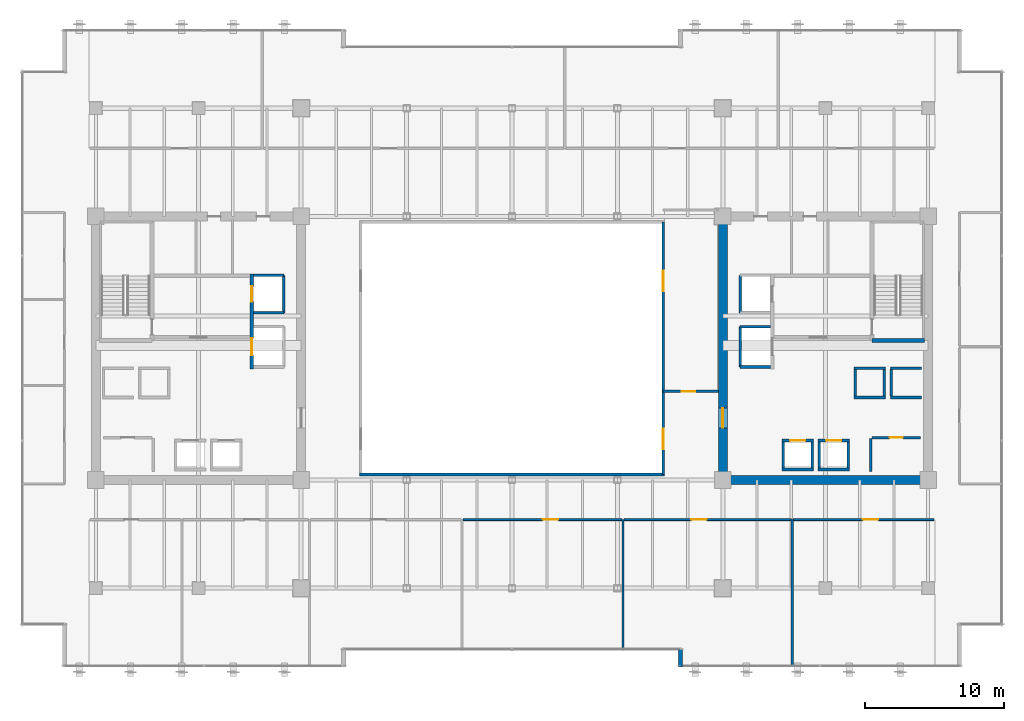
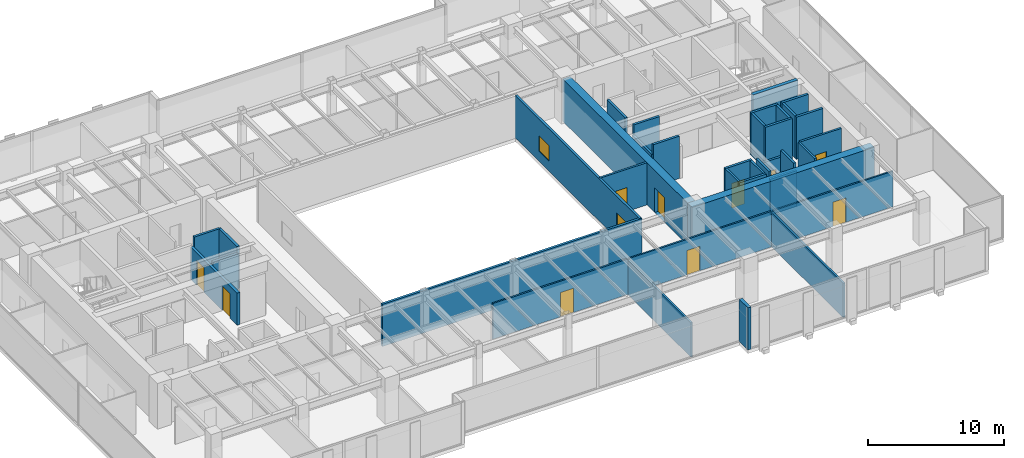
# One storey, part 26 of 34: 37 walls, 10 doors, 2 windows, 12 openings.
"""IFC4 building model written with IfcOpenShell, lengths in metres."""

from ifc_helpers import new_model, si_unit, direction, frame, frame_2d, origin, place, context, subcontext, project, spatial, rectangle, extrude, source, transform, mapped, material, layer, layer_set, type_object, type_shapes, element, fill, save


model = new_model("IFC4")

# Units and contexts
model_context = context("Model", 3, precision=1e-05, world=origin(), true_north=direction((0.0, 1.0)))
body_context = subcontext(model_context, "Body", "Model", "MODEL_VIEW")
ifc_project = project(units=[si_unit("LENGTHUNIT", "METRE"), si_unit("AREAUNIT", "SQUARE_METRE"), si_unit("VOLUMEUNIT", "CUBIC_METRE"), si_unit("PLANEANGLEUNIT", "RADIAN"), si_unit("MASSUNIT", "GRAM", prefix="KILO")], contexts=[model_context])

# Site, building, storey
site_placement = place(None, origin())
site = spatial("IfcSite", under=ifc_project, at=site_placement, CompositionType="ELEMENT")
building_placement = place(site_placement, origin())
building = spatial("IfcBuilding", under=site, at=building_placement, Name="Haelvirn Gate Laboratories", CompositionType="ELEMENT")
storey_placement = place(building_placement, frame((0.0, 0.0, 158.39990234375)))
storey = spatial("IfcBuildingStorey", under=building, at=storey_placement, Name="L38", CompositionType="ELEMENT", Elevation=158.39990234375)

# Walls
ifc_material_1 = material(Name="Thermally-broken bronze aluminium rainscreen & mineral wool", Category="aluminium")
ifc_layer_1 = layer(ifc_material_1, 0.280029296875, Name="EW-TERR-280")
ifc_layer_set_1 = layer_set([ifc_layer_1], Name="Thermally-broken bronze aluminium rainscreen & mineral wool")
wall_type_1 = type_object("IfcWallType", Name="EW-TERR-280", PredefinedType="STANDARD", material=ifc_layer_set_1)
wall_1_placement = place(storey_placement, frame((49.5400390625, 2.587890625, 0.0), z_axis=(0.0, 0.0, 1.0), x_axis=(0.0, -1.0, 0.0)))
element("IfcWall", 1, at=wall_1_placement, inside=storey, type_object=wall_type_1, Name="L38 Atrium Recess Bronze Return Wall 03", PredefinedType="STANDARD", context=body_context, shape_type="SweptSolid", body=[
    extrude(rectangle(XDim=1.287841796875, YDim=0.280029296875, at=frame_2d((0.64404296875, 0.0))), origin(), (0.0, 0.0, 1.0), 3.7900390625),
])
ifc_material_2 = material(Name="Double-layer acoustic gypsum laboratory partition", Category="gypsum")
ifc_layer_2 = layer(ifc_material_2, 0.159912109375, Name="IW-ACOUST-160")
ifc_layer_set_2 = layer_set([ifc_layer_2], Name="Double-layer acoustic gypsum laboratory partition")
wall_type_2 = type_object("IfcWallType", Name="IW-ACOUST-160", PredefinedType="PARTITIONING", material=ifc_layer_set_2)
wall_2_placement = place(storey_placement, frame((45.39990234375, 2.610107421875, 0.0), z_axis=(0.0, 0.0, 1.0), x_axis=(0.0, 1.0, 0.0)))
element("IfcWall", 2, at=wall_2_placement, inside=storey, type_object=wall_type_2, Name="L38 Interior Wall IW-L38-SDIV-04", PredefinedType="PARTITIONING", context=body_context, shape_type="SweptSolid", body=[
    extrude(rectangle(XDim=9.329833984375, YDim=0.159912109375, at=frame_2d((4.6650390625, 0.0))), origin(), (0.0, 0.0, 1.0), 3.0751953125),
])
wall_3_placement = place(storey_placement, frame((57.60009765625, 1.409912109375, 0.0), z_axis=(0.0, 0.0, 1.0), x_axis=(0.0, 1.0, 0.0)))
element("IfcWall", 3, at=wall_3_placement, inside=storey, type_object=wall_type_2, Name="L38 Interior Wall IW-L38-SDIV-05", PredefinedType="PARTITIONING", context=body_context, shape_type="SweptSolid", body=[
    extrude(rectangle(XDim=10.530029296875, YDim=0.159912109375, at=frame_2d((5.26513671875, 0.0))), origin(), (0.0, 0.0, 1.0), 3.0751953125),
])

# Wall, opening, door
ifc_material_3 = material(Name="Fire-rated acoustic gypsum board partition", Category="gypsum")
ifc_layer_3 = layer(ifc_material_3, 0.175048828125, Name="IW-ACOUST-180")
ifc_layer_set_3 = layer_set([ifc_layer_3], Name="Fire-rated acoustic gypsum board partition")
wall_type_3 = type_object("IfcWallType", Name="IW-ACOUST-180", PredefinedType="PARTITIONING", material=ifc_layer_set_3)
wall_4_placement = place(storey_placement, frame((48.300048828125, 21.179931640625, 0.0), z_axis=(0.0, 0.0, 1.0), x_axis=(1.0, 0.0, 0.0)))
wall_4 = element("IfcWall", 4, at=wall_4_placement, inside=storey, type_object=wall_type_3, Name="L38 Interior Wall IW-L38-ASEM-S", PredefinedType="PARTITIONING", context=body_context, shape_type="SweptSolid", body=[
    extrude(rectangle(XDim=3.974853515625, YDim=0.175048828125, at=frame_2d((1.9873046875, 0.0))), origin(), (0.0, 0.0, 1.0), 3.7900390625),
])
opening_1_placement = place(wall_4_placement, frame((1.35009765625, 0.0, 0.0)))
opening_1 = element("IfcOpeningElement", 5, at=opening_1_placement, cuts=wall_4, Name="Opening FD4", PredefinedType="OPENING", context=body_context, shape_type="SweptSolid", body=[
    extrude(rectangle(XDim=0.949951171875, YDim=2.14990234375, at=frame_2d((0.47509765625, 1.074951171875))), frame((0.0, 0.09765625, 0.0), z_axis=(0.0, -1.0, 0.0), x_axis=(1.0, 0.0, 0.0)), (0.0, 0.0, 1.0), 0.195068359375),
])
ifc_material_4 = material(Name="Fire-rated steel SM355 core service door", Category="steel")
door_type_1 = type_object("IfcDoorType", Name="DR-FD-950", OperationType="NOTDEFINED", PredefinedType="DOOR", material=ifc_material_4)
shared_shape_1 = source(origin(), body_context, "Body", "SweptSolid", [
    extrude(rectangle(XDim=0.949951171875, YDim=2.14990234375, at=frame_2d((0.47509765625, 1.074951171875))), frame((0.0, 0.02490234375, 0.0), z_axis=(0.0, -1.0, 0.0), x_axis=(1.0, 0.0, 0.0)), (0.0, 0.0, 1.0), 0.050048828125),
])
type_shapes(door_type_1, [shared_shape_1])
door_1_placement = place(opening_1_placement, origin())
door_1 = element("IfcDoor", 6, at=door_1_placement, inside=storey, type_object=door_type_1, Name="L38 Atrium Bioinformatics Suite Door", OperationType="SINGLE_SWING_LEFT", OverallHeight=2.14990234375, OverallWidth=0.949951171875, PredefinedType="DOOR", context=body_context, shape_type="MappedRepresentation", body=[
    mapped(shared_shape_1, transform((0.0, 0.0, 0.0), scale=1.0)),
])
fill(opening_1, door_1)

# Wall, openings, windows
ifc_material_5 = material(Name="Tempered fire-rated borosilicate glass & anodised aluminium", Category="aluminium")
ifc_layer_4 = layer(ifc_material_5, 0.195068359375, Name="IW-GLAZ-200")
ifc_layer_set_4 = layer_set([ifc_layer_4], Name="Tempered fire-rated borosilicate glass & anodised aluminium")
wall_type_4 = type_object("IfcWallType", Name="IW-GLAZ-200", PredefinedType="SOLIDWALL", material=ifc_layer_set_4)
wall_5_placement = place(storey_placement, frame((48.300048828125, 15.199951171875, 0.0), z_axis=(0.0, 0.0, 1.0), x_axis=(0.0, 1.0, 0.0)))
wall_5 = element("IfcWall", 7, at=wall_5_placement, inside=storey, type_object=wall_type_4, Name="L38 Interior Wall IW-L38-ATRIUM-E", PredefinedType="SOLIDWALL", context=body_context, shape_type="SweptSolid", body=[
    extrude(rectangle(XDim=18.199951171875, YDim=0.195068359375, at=frame_2d((9.10009765625, 0.0))), origin(), (0.0, 0.0, 1.0), 3.7900390625),
])
opening_2_placement = place(wall_5_placement, frame((1.800048828125, 0.0, 0.89990234375)))
opening_2 = element("IfcOpeningElement", 8, at=opening_2_placement, cuts=wall_5, Name="Opening W5", PredefinedType="OPENING", context=body_context, shape_type="SweptSolid", body=[
    extrude(rectangle(XDim=1.5, YDim=1.39990234375, at=frame_2d((0.75, 0.699951171875))), frame((0.0, 0.107421875, 0.0), z_axis=(0.0, -1.0, 0.0), x_axis=(1.0, 0.0, 0.0)), (0.0, 0.0, 1.0), 0.215087890625),
])
opening_3_placement = place(wall_5_placement, frame((13.199951171875, 0.0, 0.89990234375)))
opening_3 = element("IfcOpeningElement", 9, at=opening_3_placement, cuts=wall_5, Name="Opening W5", PredefinedType="OPENING", context=body_context, shape_type="SweptSolid", body=[
    extrude(rectangle(XDim=1.5, YDim=1.39990234375, at=frame_2d((0.75, 0.699951171875))), frame((0.0, 0.107421875, 0.0), z_axis=(0.0, -1.0, 0.0), x_axis=(1.0, 0.0, 0.0)), (0.0, 0.0, 1.0), 0.215087890625),
])
ifc_material_6 = material(Name="Fire-rated EI 120 borosilicate atrium vision glazing", Category="glass")
window_type = type_object("IfcWindowType", Name="WN-ATR-1500", PartitioningType="SINGLE_PANEL", PredefinedType="WINDOW", material=ifc_material_6)
shared_shape_2 = source(origin(), body_context, "Body", "SweptSolid", [
    extrude(rectangle(XDim=1.5, YDim=1.39990234375, at=frame_2d((0.75, 0.699951171875))), frame((0.0, 0.030029296875, 0.0), z_axis=(0.0, -1.0, 0.0), x_axis=(1.0, 0.0, 0.0)), (0.0, 0.0, 1.0), 0.06005859375),
])
type_shapes(window_type, [shared_shape_2])
window_1_placement = place(opening_2_placement, origin())
window_1 = element("IfcWindow", 10, at=window_1_placement, inside=storey, type_object=window_type, Name="L38 Atrium Observation Window 1", OverallHeight=1.39990234375, OverallWidth=1.5, PartitioningType="SINGLE_PANEL", PredefinedType="WINDOW", context=body_context, shape_type="MappedRepresentation", body=[
    mapped(shared_shape_2, transform((0.0, 0.0, 0.0), scale=1.0)),
])
fill(opening_2, window_1)
window_2_placement = place(opening_3_placement, origin())
window_2 = element("IfcWindow", 11, at=window_2_placement, inside=storey, type_object=window_type, Name="L38 Atrium Observation Window 2", OverallHeight=1.39990234375, OverallWidth=1.5, PartitioningType="SINGLE_PANEL", PredefinedType="WINDOW", context=body_context, shape_type="MappedRepresentation", body=[
    mapped(shared_shape_2, transform((0.0, 0.0, 0.0), scale=1.0)),
])
fill(opening_3, window_2)

# Wall
wall_6_placement = place(storey_placement, frame((26.39990234375, 15.199951171875, 0.0), z_axis=(0.0, 0.0, 1.0), x_axis=(1.0, 0.0, 0.0)))
element("IfcWall", 12, at=wall_6_placement, inside=storey, type_object=wall_type_4, Name="L38 Interior Wall IW-L38-ATRIUM-S", PredefinedType="SOLIDWALL", context=body_context, shape_type="SweptSolid", body=[
    extrude(rectangle(XDim=22.0, YDim=0.195068359375, at=frame_2d((11.0, 0.0))), origin(), (0.0, 0.0, 1.0), 3.7900390625),
])

# Wall, opening, door
ifc_material_7 = material(Name="Acoustic mineral-wool gypsum board partition", Category="gypsum")
ifc_layer_5 = layer(ifc_material_7, 0.139892578125, Name="IW-PART-140")
ifc_layer_set_5 = layer_set([ifc_layer_5], Name="Acoustic mineral-wool gypsum board partition")
wall_type_5 = type_object("IfcWallType", Name="IW-PART-140", PredefinedType="PARTITIONING", material=ifc_layer_set_5)
wall_7_placement = place(storey_placement, frame((33.8798828125, 11.93994140625, 0.0), z_axis=(0.0, 0.0, 1.0), x_axis=(1.0, 0.0, 0.0)))
wall_7 = element("IfcWall", 13, at=wall_7_placement, inside=storey, type_object=wall_type_5, Name="L38 Interior Wall IW-L38-SCORR-04", PredefinedType="PARTITIONING", context=body_context, shape_type="SweptSolid", body=[
    extrude(rectangle(XDim=11.440185546875, YDim=0.139892578125, at=frame_2d((5.72021484375, 0.0))), origin(), (0.0, 0.0, 1.0), 3.18701171875),
])
opening_4_placement = place(wall_7_placement, frame((5.748291015625, 0.0, 0.0)))
opening_4 = element("IfcOpeningElement", 14, at=opening_4_placement, cuts=wall_7, Name="Opening D1", PredefinedType="OPENING", context=body_context, shape_type="SweptSolid", body=[
    extrude(rectangle(XDim=1.10009765625, YDim=2.179931640625, at=frame_2d((0.550048828125, 1.08984375))), frame((0.0, 0.080078125, 0.0), z_axis=(0.0, -1.0, 0.0), x_axis=(1.0, 0.0, 0.0)), (0.0, 0.0, 1.0), 0.159912109375),
])
ifc_material_8 = material(Name="Vision-panel acoustic solid-core timber lab door", Category="wood")
door_type_2 = type_object("IfcDoorType", Name="DR-LAB-1100", OperationType="NOTDEFINED", PredefinedType="DOOR", material=ifc_material_8)
shared_shape_3 = source(origin(), body_context, "Body", "SweptSolid", [
    extrude(rectangle(XDim=1.10009765625, YDim=2.179931640625, at=frame_2d((0.550048828125, 1.08984375))), frame((0.0, 0.02490234375, 0.0), z_axis=(0.0, -1.0, 0.0), x_axis=(1.0, 0.0, 0.0)), (0.0, 0.0, 1.0), 0.050048828125),
])
type_shapes(door_type_2, [shared_shape_3])
door_2_placement = place(opening_4_placement, origin())
door_2 = element("IfcDoor", 15, at=door_2_placement, inside=storey, type_object=door_type_2, Name="L38 Colloquium Conference Room Door S4", OperationType="SINGLE_SWING_RIGHT", OverallHeight=2.179931640625, OverallWidth=1.10009765625, PredefinedType="DOOR", context=body_context, shape_type="MappedRepresentation", body=[
    mapped(shared_shape_3, transform((0.0, 0.0, 0.0), scale=1.0)),
])
fill(opening_4, door_2)

wall_8_placement = place(storey_placement, frame((45.47998046875, 11.93994140625, 0.0), z_axis=(0.0, 0.0, 1.0), x_axis=(1.0, 0.0, 0.0)))
wall_8 = element("IfcWall", 16, at=wall_8_placement, inside=storey, type_object=wall_type_5, Name="L38 Interior Wall IW-L38-SCORR-05", PredefinedType="PARTITIONING", context=body_context, shape_type="SweptSolid", body=[
    extrude(rectangle(XDim=12.0400390625, YDim=0.139892578125, at=frame_2d((6.02001953125, 0.0))), origin(), (0.0, 0.0, 1.0), 3.18701171875),
])
opening_5_placement = place(wall_8_placement, frame((4.855712890625, 0.0, 0.0)))
opening_5 = element("IfcOpeningElement", 17, at=opening_5_placement, cuts=wall_8, Name="Opening D1", PredefinedType="OPENING", context=body_context, shape_type="SweptSolid", body=[
    extrude(rectangle(XDim=1.10009765625, YDim=2.179931640625, at=frame_2d((0.550048828125, 1.08984375))), frame((0.0, 0.080078125, 0.0), z_axis=(0.0, -1.0, 0.0), x_axis=(1.0, 0.0, 0.0)), (0.0, 0.0, 1.0), 0.159912109375),
])
door_3_placement = place(opening_5_placement, origin())
door_3 = element("IfcDoor", 18, at=door_3_placement, inside=storey, type_object=door_type_2, Name="L38 Protocol Briefing Training Room Door S5", OperationType="SINGLE_SWING_LEFT", OverallHeight=2.179931640625, OverallWidth=1.10009765625, PredefinedType="DOOR", context=body_context, shape_type="MappedRepresentation", body=[
    mapped(shared_shape_3, transform((0.0, 0.0, 0.0), scale=1.0)),
])
fill(opening_5, door_3)

wall_9_placement = place(storey_placement, frame((57.679931640625, 11.93994140625, 0.0), z_axis=(0.0, 0.0, 1.0), x_axis=(1.0, 0.0, 0.0)))
wall_9 = element("IfcWall", 19, at=wall_9_placement, inside=storey, type_object=wall_type_5, Name="L38 Interior Wall IW-L38-SCORR-06", PredefinedType="PARTITIONING", context=body_context, shape_type="SweptSolid", body=[
    extrude(rectangle(XDim=10.14013671875, YDim=0.139892578125, at=frame_2d((5.070068359375, 0.0))), origin(), (0.0, 0.0, 1.0), 3.18701171875),
])
opening_6_placement = place(wall_9_placement, frame((5.0205078125, 0.0, 0.0)))
opening_6 = element("IfcOpeningElement", 20, at=opening_6_placement, cuts=wall_9, Name="Opening D1", PredefinedType="OPENING", context=body_context, shape_type="SweptSolid", body=[
    extrude(rectangle(XDim=1.10009765625, YDim=2.179931640625, at=frame_2d((0.550048828125, 1.08984375))), frame((0.0, 0.080078125, 0.0), z_axis=(0.0, -1.0, 0.0), x_axis=(1.0, 0.0, 0.0)), (0.0, 0.0, 1.0), 0.159912109375),
])
door_4_placement = place(opening_6_placement, origin())
door_4 = element("IfcDoor", 21, at=door_4_placement, inside=storey, type_object=door_type_2, Name="L38 Peer-Review Seminar Room Door S6", OperationType="SINGLE_SWING_RIGHT", OverallHeight=2.179931640625, OverallWidth=1.10009765625, PredefinedType="DOOR", context=body_context, shape_type="MappedRepresentation", body=[
    mapped(shared_shape_3, transform((0.0, 0.0, 0.0), scale=1.0)),
])
fill(opening_6, door_4)

# Walls
ifc_material_9 = material(Name="Concrete C40/50", Category="concrete")
ifc_layer_6 = layer(ifc_material_9, 0.179931640625, Name="IW-SHAFT-180")
ifc_layer_set_6 = layer_set([ifc_layer_6], Name="Concrete C40/50")
wall_type_6 = type_object("IfcWallType", Name="IW-SHAFT-180", PredefinedType="SOLIDWALL", material=ifc_layer_set_6)
for number, where, z_axis, x_axis, name in (
    (22, (59.550048828125, 15.64990234375, 0.0), (0.0, 0.0, 1.0), (0.0, 1.0, 0.0), "L38 Interior Wall IW-L38-PL7-SD"),
    (23, (61.64990234375, 15.64990234375, 0.0), (0.0, 0.0, 1.0), (0.0, 1.0, 0.0), "L38 Interior Wall IW-L38-PL7-SDE"),
    (24, (56.949951171875, 15.64990234375, 0.0), (0.0, 0.0, 1.0), (0.0, 1.0, 0.0), "L38 Interior Wall IW-L38-PL8-SD"),
    (25, (59.050048828125, 15.64990234375, 0.0), (0.0, 0.0, 1.0), (0.0, 1.0, 0.0), "L38 Interior Wall IW-L38-PL8-SDE"),
):
    element("IfcWall", number, at=place(storey_placement, frame(where, z_axis=z_axis, x_axis=x_axis)), inside=storey, type_object=wall_type_6, Name=name, PredefinedType="SOLIDWALL", context=body_context, shape_type="SweptSolid", body=[
        extrude(rectangle(XDim=1.900146484375, YDim=0.179931640625, at=frame_2d((0.9501953125, 0.0))), origin(), (0.0, 0.0, 1.0), 3.7900390625),
    ])
for number, where, z_axis, x_axis, name in (
    (26, (64.75, 20.85009765625, 0.0), (0.0, 0.0, 1.0), (0.0, 1.0, 0.0), "L38 Interior Wall IW-L38-PL11-SD"),
    (27, (62.14990234375, 20.85009765625, 0.0), (0.0, 0.0, 1.0), (0.0, 1.0, 0.0), "L38 Interior Wall IW-L38-PL12-SD"),
    (28, (64.25, 20.85009765625, 0.0), (0.0, 0.0, 1.0), (0.0, 1.0, 0.0), "L38 Interior Wall IW-L38-PL12-SDE"),
):
    element("IfcWall", number, at=place(storey_placement, frame(where, z_axis=z_axis, x_axis=x_axis)), inside=storey, type_object=wall_type_6, Name=name, PredefinedType="SOLIDWALL", context=body_context, shape_type="SweptSolid", body=[
        extrude(rectangle(XDim=1.89990234375, YDim=0.179931640625, at=frame_2d((0.949951171875, 0.0))), origin(), (0.0, 0.0, 1.0), 3.7900390625),
    ])

# Wall, opening, door
wall_10_placement = place(storey_placement, frame((63.35009765625, 17.85009765625, 0.0), z_axis=(0.0, 0.0, 1.0), x_axis=(1.0, 0.0, 0.0)))
wall_10 = element("IfcWall", 29, at=wall_10_placement, inside=storey, type_object=wall_type_6, Name="L38 Interior Wall IW-L38-E-FREED-LN-1", PredefinedType="SOLIDWALL", context=body_context, shape_type="SweptSolid", body=[
    extrude(rectangle(XDim=3.5, YDim=0.179931640625, at=frame_2d((1.75, 0.0))), origin(), (0.0, 0.0, 1.0), 3.7900390625),
])
opening_7_placement = place(wall_10_placement, frame((1.27490234375, 0.0, 0.0)))
opening_7 = element("IfcOpeningElement", 30, at=opening_7_placement, cuts=wall_10, Name="Opening FD4", PredefinedType="OPENING", context=body_context, shape_type="SweptSolid", body=[
    extrude(rectangle(XDim=0.949951171875, YDim=2.14990234375, at=frame_2d((0.47509765625, 1.074951171875))), frame((0.0, 0.10009765625, 0.0), z_axis=(0.0, -1.0, 0.0), x_axis=(1.0, 0.0, 0.0)), (0.0, 0.0, 1.0), 0.199951171875),
])
door_5_placement = place(opening_7_placement, origin())
door_5 = element("IfcDoor", 31, at=door_5_placement, inside=storey, type_object=door_type_1, Name="L38 Core Calibration Room Door", OperationType="SINGLE_SWING_LEFT", OverallHeight=2.14990234375, OverallWidth=0.949951171875, PredefinedType="DOOR", context=body_context, shape_type="MappedRepresentation", body=[
    mapped(shared_shape_1, transform((0.0, 0.0, 0.0), scale=1.0)),
])
fill(opening_7, door_5)

# Walls
wall_11_placement = place(storey_placement, frame((63.260009765625, 15.39990234375, 0.0), z_axis=(0.0, 0.0, 1.0), x_axis=(0.0, 1.0, 0.0)))
element("IfcWall", 32, at=wall_11_placement, inside=storey, type_object=wall_type_6, Name="L38 Interior Wall IW-L38-E-FREED-LE-1", PredefinedType="SOLIDWALL", context=body_context, shape_type="SweptSolid", body=[
    extrude(rectangle(XDim=2.400146484375, YDim=0.179931640625, at=frame_2d((1.2001953125, 0.0))), origin(), (0.0, 0.0, 1.0), 3.7900390625),
])
ifc_layer_7 = layer(ifc_material_9, 0.199951171875, Name="IW-SHAFT-200")
ifc_layer_set_7 = layer_set([ifc_layer_7], Name="Concrete C40/50")
wall_type_7 = type_object("IfcWallType", Name="IW-SHAFT-200", PredefinedType="SOLIDWALL", material=ifc_layer_set_7)
wall_12_placement = place(storey_placement, frame((20.949951171875, 26.85009765625, 0.0), z_axis=(0.0, 0.0, 1.0), x_axis=(0.0, 1.0, 0.0)))
element("IfcWall", 33, at=wall_12_placement, inside=storey, type_object=wall_type_7, Name="L38 Interior Wall IW-L38-FL1-BK", PredefinedType="SOLIDWALL", context=body_context, shape_type="SweptSolid", body=[
    extrude(rectangle(XDim=2.699951171875, YDim=0.199951171875, at=frame_2d((1.35009765625, 0.0))), origin(), (0.0, 0.0, 1.0), 3.7900390625),
])
wall_13_placement = place(storey_placement, frame((18.760009765625, 29.550048828125, 0.0), z_axis=(0.0, 0.0, 1.0), x_axis=(1.0, 0.0, 0.0)))
element("IfcWall", 34, at=wall_13_placement, inside=storey, type_object=wall_type_7, Name="L38 Interior Wall IW-L38-FL1-N", PredefinedType="SOLIDWALL", context=body_context, shape_type="SweptSolid", body=[
    extrude(rectangle(XDim=2.18994140625, YDim=0.199951171875, at=frame_2d((1.094970703125, 0.0))), origin(), (0.0, 0.0, 1.0), 3.7900390625),
])
wall_14_placement = place(storey_placement, frame((18.760009765625, 26.85009765625, 0.0), z_axis=(0.0, 0.0, 1.0), x_axis=(1.0, 0.0, 0.0)))
element("IfcWall", 35, at=wall_14_placement, inside=storey, type_object=wall_type_7, Name="L38 Interior Wall IW-L38-FL1-S", PredefinedType="SOLIDWALL", context=body_context, shape_type="SweptSolid", body=[
    extrude(rectangle(XDim=2.18994140625, YDim=0.199951171875, at=frame_2d((1.094970703125, 0.0))), origin(), (0.0, 0.0, 1.0), 3.18701171875),
])

# Wall, opening, door
wall_15_placement = place(storey_placement, frame((59.469970703125, 17.64990234375, 0.0), z_axis=(0.0, 0.0, 1.0), x_axis=(1.0, 0.0, 0.0)))
wall_15 = element("IfcWall", 36, at=wall_15_placement, inside=storey, type_object=wall_type_7, Name="L38 Interior Wall IW-L38-PL7-FR", PredefinedType="SOLIDWALL", context=body_context, shape_type="SweptSolid", body=[
    extrude(rectangle(XDim=2.260009765625, YDim=0.199951171875, at=frame_2d((1.1298828125, 0.0))), origin(), (0.0, 0.0, 1.0), 3.18701171875),
])
opening_8_placement = place(wall_15_placement, frame((0.580078125, 0.0, 0.0)))
opening_8 = element("IfcOpeningElement", 37, at=opening_8_placement, cuts=wall_15, Name="Opening LD2", PredefinedType="OPENING", context=body_context, shape_type="SweptSolid", body=[
    extrude(rectangle(XDim=1.10009765625, YDim=2.219970703125, at=frame_2d((0.550048828125, 1.10986328125))), frame((0.0, 0.10986328125, 0.0), z_axis=(0.0, -1.0, 0.0), x_axis=(1.0, 0.0, 0.0)), (0.0, 0.0, 1.0), 0.219970703125),
])
ifc_material_10 = material(Name="Bronze stainless 316L sliding lift landing door")
door_type_3 = type_object("IfcDoorType", Name="DR-LD-1100", OperationType="NOTDEFINED", PredefinedType="USERDEFINED", material=ifc_material_10)
shared_shape_4 = source(origin(), body_context, "Body", "SweptSolid", [
    extrude(rectangle(XDim=1.10009765625, YDim=2.219970703125, at=frame_2d((0.550048828125, 1.10986328125))), frame((0.0, 0.02490234375, 0.0), z_axis=(0.0, -1.0, 0.0), x_axis=(1.0, 0.0, 0.0)), (0.0, 0.0, 1.0), 0.050048828125),
])
type_shapes(door_type_3, [shared_shape_4])
door_6_placement = place(opening_8_placement, origin())
door_6 = element("IfcDoor", 38, at=door_6_placement, inside=storey, type_object=door_type_3, Name="L38 Passenger Lift PL7 Landing Door", ObjectType="LANDING_DOOR", OperationType="SLIDING_TO_LEFT", OverallHeight=2.219970703125, OverallWidth=1.10009765625, PredefinedType="USERDEFINED", context=body_context, shape_type="MappedRepresentation", body=[
    mapped(shared_shape_4, transform((0.0, 0.0, 0.0), scale=1.0)),
])
fill(opening_8, door_6)

# Wall
wall_16_placement = place(storey_placement, frame((59.469970703125, 15.550048828125, 0.0), z_axis=(0.0, 0.0, 1.0), x_axis=(1.0, 0.0, 0.0)))
element("IfcWall", 39, at=wall_16_placement, inside=storey, type_object=wall_type_7, Name="L38 Interior Wall IW-L38-PL7-BK", PredefinedType="SOLIDWALL", context=body_context, shape_type="SweptSolid", body=[
    extrude(rectangle(XDim=2.260009765625, YDim=0.199951171875, at=frame_2d((1.1298828125, 0.0))), origin(), (0.0, 0.0, 1.0), 3.18701171875),
])

# Wall, opening, door
wall_17_placement = place(storey_placement, frame((56.8701171875, 17.64990234375, 0.0), z_axis=(0.0, 0.0, 1.0), x_axis=(1.0, 0.0, 0.0)))
wall_17 = element("IfcWall", 40, at=wall_17_placement, inside=storey, type_object=wall_type_7, Name="L38 Interior Wall IW-L38-PL8-FR", PredefinedType="SOLIDWALL", context=body_context, shape_type="SweptSolid", body=[
    extrude(rectangle(XDim=2.259765625, YDim=0.199951171875, at=frame_2d((1.1298828125, 0.0))), origin(), (0.0, 0.0, 1.0), 3.7900390625),
])
opening_9_placement = place(wall_17_placement, frame((0.580078125, 0.0, 0.0)))
opening_9 = element("IfcOpeningElement", 41, at=opening_9_placement, cuts=wall_17, Name="Opening LD2", PredefinedType="OPENING", context=body_context, shape_type="SweptSolid", body=[
    extrude(rectangle(XDim=1.10009765625, YDim=2.219970703125, at=frame_2d((0.550048828125, 1.10986328125))), frame((0.0, 0.10986328125, 0.0), z_axis=(0.0, -1.0, 0.0), x_axis=(1.0, 0.0, 0.0)), (0.0, 0.0, 1.0), 0.219970703125),
])
door_7_placement = place(opening_9_placement, origin())
door_7 = element("IfcDoor", 42, at=door_7_placement, inside=storey, type_object=door_type_3, Name="L38 Passenger Lift PL8 Landing Door", ObjectType="LANDING_DOOR", OperationType="SLIDING_TO_RIGHT", OverallHeight=2.219970703125, OverallWidth=1.10009765625, PredefinedType="USERDEFINED", context=body_context, shape_type="MappedRepresentation", body=[
    mapped(shared_shape_4, transform((0.0, 0.0, 0.0), scale=1.0)),
])
fill(opening_9, door_7)

# Walls
wall_18_placement = place(storey_placement, frame((56.8701171875, 15.550048828125, 0.0), z_axis=(0.0, 0.0, 1.0), x_axis=(1.0, 0.0, 0.0)))
element("IfcWall", 43, at=wall_18_placement, inside=storey, type_object=wall_type_7, Name="L38 Interior Wall IW-L38-PL8-BK", PredefinedType="SOLIDWALL", context=body_context, shape_type="SweptSolid", body=[
    extrude(rectangle(XDim=2.259765625, YDim=0.199951171875, at=frame_2d((1.1298828125, 0.0))), origin(), (0.0, 0.0, 1.0), 3.7900390625),
])
for number, where, z_axis, x_axis, name in (
    (44, (64.669921875, 20.75, 0.0), (0.0, 0.0, 1.0), (1.0, 0.0, 0.0), "L38 Interior Wall IW-L38-PL11-FR"),
    (45, (64.669921875, 22.85009765625, 0.0), (0.0, 0.0, 1.0), (1.0, 0.0, 0.0), "L38 Interior Wall IW-L38-PL11-BK"),
    (46, (62.070068359375, 20.75, 0.0), (0.0, 0.0, 1.0), (1.0, 0.0, 0.0), "L38 Interior Wall IW-L38-PL12-FR"),
    (47, (62.070068359375, 22.85009765625, 0.0), (0.0, 0.0, 1.0), (1.0, 0.0, 0.0), "L38 Interior Wall IW-L38-PL12-BK"),
):
    element("IfcWall", number, at=place(storey_placement, frame(where, z_axis=z_axis, x_axis=x_axis)), inside=storey, type_object=wall_type_7, Name=name, PredefinedType="SOLIDWALL", context=body_context, shape_type="SweptSolid", body=[
        extrude(rectangle(XDim=2.260009765625, YDim=0.199951171875, at=frame_2d((1.1298828125, 0.0))), origin(), (0.0, 0.0, 1.0), 3.7900390625),
    ])
wall_19_placement = place(storey_placement, frame((53.85009765625, 26.85009765625, 0.0), z_axis=(0.0, 0.0, 1.0), x_axis=(0.0, 1.0, 0.0)))
element("IfcWall", 48, at=wall_19_placement, inside=storey, type_object=wall_type_7, Name="L38 Interior Wall IW-L38-FL2-BK", PredefinedType="SOLIDWALL", context=body_context, shape_type="SweptSolid", body=[
    extrude(rectangle(XDim=2.699951171875, YDim=0.199951171875, at=frame_2d((1.35009765625, 0.0))), origin(), (0.0, 0.0, 1.0), 3.7900390625),
])
wall_20_placement = place(storey_placement, frame((53.85009765625, 22.949951171875, 0.0), z_axis=(0.0, 0.0, 1.0), x_axis=(0.0, 1.0, 0.0)))
element("IfcWall", 49, at=wall_20_placement, inside=storey, type_object=wall_type_7, Name="L38 Interior Wall IW-L38-SL2-BK", PredefinedType="SOLIDWALL", context=body_context, shape_type="SweptSolid", body=[
    extrude(rectangle(XDim=2.900146484375, YDim=0.199951171875, at=frame_2d((1.4501953125, 0.0))), origin(), (0.0, 0.0, 1.0), 2.875),
])
for number, where, z_axis, x_axis, name in (
    (50, (53.85009765625, 25.85009765625, 0.0), (0.0, 0.0, 1.0), (1.0, 0.0, 0.0), "L38 Interior Wall IW-L38-SL2-N"),
    (51, (53.85009765625, 22.949951171875, 0.0), (0.0, 0.0, 1.0), (1.0, 0.0, 0.0), "L38 Interior Wall IW-L38-SL2-S"),
):
    element("IfcWall", number, at=place(storey_placement, frame(where, z_axis=z_axis, x_axis=x_axis)), inside=storey, type_object=wall_type_7, Name=name, PredefinedType="SOLIDWALL", context=body_context, shape_type="SweptSolid", body=[
        extrude(rectangle(XDim=2.18994140625, YDim=0.199951171875, at=frame_2d((1.094970703125, 0.0))), origin(), (0.0, 0.0, 1.0), 3.7900390625),
    ])

# Wall, openings, doors
ifc_layer_8 = layer(ifc_material_9, 0.239990234375, Name="IW-SHAFT-240")
ifc_layer_set_8 = layer_set([ifc_layer_8], Name="Concrete C40/50")
wall_type_8 = type_object("IfcWallType", Name="IW-SHAFT-240", PredefinedType="SOLIDWALL", material=ifc_layer_set_8)
wall_21_placement = place(storey_placement, frame((18.639892578125, 22.800048828125, 0.0), z_axis=(0.0, 0.0, 1.0), x_axis=(0.0, 1.0, 0.0)))
wall_21 = element("IfcWall", 52, at=wall_21_placement, inside=storey, type_object=wall_type_8, Name="L38 Interior Wall IW-L38-W-FF-E", PredefinedType="SOLIDWALL", context=body_context, shape_type="SweptSolid", body=[
    extrude(rectangle(XDim=6.849853515625, YDim=0.239990234375, at=frame_2d((3.4248046875, 0.0))), origin(), (0.0, 0.0, 1.0), 2.875),
])
opening_10_placement = place(wall_21_placement, frame((4.85009765625, 0.0, 0.0)))
opening_10 = element("IfcOpeningElement", 53, at=opening_10_placement, cuts=wall_21, Name="Opening LD2", PredefinedType="OPENING", context=body_context, shape_type="SweptSolid", body=[
    extrude(rectangle(XDim=1.10009765625, YDim=2.219970703125, at=frame_2d((0.550048828125, 1.10986328125))), frame((0.0, 0.1298828125, 0.0), z_axis=(0.0, -1.0, 0.0), x_axis=(1.0, 0.0, 0.0)), (0.0, 0.0, 1.0), 0.260009765625),
])
opening_11_placement = place(wall_21_placement, frame((1.0, 0.0, 0.0)))
opening_11 = element("IfcOpeningElement", 54, at=opening_11_placement, cuts=wall_21, Name="Opening LD1", PredefinedType="OPENING", context=body_context, shape_type="SweptSolid", body=[
    extrude(rectangle(XDim=1.199951171875, YDim=2.219970703125, at=frame_2d((0.60009765625, 1.10986328125))), frame((0.0, 0.1298828125, 0.0), z_axis=(0.0, -1.0, 0.0), x_axis=(1.0, 0.0, 0.0)), (0.0, 0.0, 1.0), 0.260009765625),
])
door_8_placement = place(opening_10_placement, origin())
door_8 = element("IfcDoor", 55, at=door_8_placement, inside=storey, type_object=door_type_3, Name="L38 Firefighting Lift FL1 Landing Door", ObjectType="LANDING_DOOR", OperationType="SLIDING_TO_LEFT", OverallHeight=2.219970703125, OverallWidth=1.10009765625, PredefinedType="USERDEFINED", context=body_context, shape_type="MappedRepresentation", body=[
    mapped(shared_shape_4, transform((0.0, 0.0, 0.0), scale=1.0)),
])
fill(opening_10, door_8)
ifc_material_11 = material(Name="Stainless steel 316L sliding goods landing door", Category="steel")
door_type_4 = type_object("IfcDoorType", Name="DR-LD-1200", OperationType="NOTDEFINED", PredefinedType="USERDEFINED", material=ifc_material_11)
shared_shape_5 = source(origin(), body_context, "Body", "SweptSolid", [
    extrude(rectangle(XDim=1.199951171875, YDim=2.219970703125, at=frame_2d((0.60009765625, 1.10986328125))), frame((0.0, 0.02490234375, 0.0), z_axis=(0.0, -1.0, 0.0), x_axis=(1.0, 0.0, 0.0)), (0.0, 0.0, 1.0), 0.050048828125),
])
type_shapes(door_type_4, [shared_shape_5])
door_9_placement = place(opening_11_placement, origin())
door_9 = element("IfcDoor", 56, at=door_9_placement, inside=storey, type_object=door_type_4, Name="L38 Service Lift SL1 Landing Door", ObjectType="LANDING_DOOR", OperationType="SLIDING_TO_RIGHT", OverallHeight=2.219970703125, OverallWidth=1.199951171875, PredefinedType="USERDEFINED", context=body_context, shape_type="MappedRepresentation", body=[
    mapped(shared_shape_5, transform((0.0, 0.0, 0.0), scale=1.0)),
])
fill(opening_11, door_9)

# Wall
ifc_material_12 = material(Name="Concrete C60/75", Category="concrete")
ifc_layer_9 = layer(ifc_material_12, 0.64990234375, Name="SW-CORE-650")
ifc_layer_set_9 = layer_set([ifc_layer_9], Name="Concrete C60/75")
wall_type_9 = type_object("IfcWallType", Name="SW-CORE-650", PredefinedType="SHEAR", material=ifc_layer_set_9)
wall_22_placement = place(storey_placement, frame((52.27490234375, 14.800048828125, 0.0), z_axis=(0.0, 0.0, 1.0), x_axis=(1.0, 0.0, 0.0)))
element("IfcWall", 57, at=wall_22_placement, inside=storey, type_object=wall_type_9, Name="L38 E Core Shear Wall S", PredefinedType="SHEAR", context=body_context, shape_type="SweptSolid", body=[
    extrude(rectangle(XDim=15.4501953125, YDim=0.64990234375, at=frame_2d((7.72509765625, 0.0))), origin(), (0.0, 0.0, 1.0), 3.7900390625),
])

# Wall, opening, door
wall_23_placement = place(storey_placement, frame((52.60009765625, 15.125, 0.0), z_axis=(0.0, 0.0, 1.0), x_axis=(0.0, 1.0, 0.0)))
wall_23 = element("IfcWall", 58, at=wall_23_placement, inside=storey, type_object=wall_type_9, Name="L38 E Core Shear Wall W", PredefinedType="SHEAR", context=body_context, shape_type="SweptSolid", body=[
    extrude(rectangle(XDim=18.35009765625, YDim=0.64990234375, at=frame_2d((9.175048828125, 0.0))), origin(), (0.0, 0.0, 1.0), 3.7900390625),
])
opening_12_placement = place(wall_23_placement, frame((3.425048828125, 0.0, 0.0)))
opening_12 = element("IfcOpeningElement", 59, at=opening_12_placement, cuts=wall_23, Name="Opening FD1", PredefinedType="OPENING", context=body_context, shape_type="SweptSolid", body=[
    extrude(rectangle(XDim=1.419921875, YDim=2.199951171875, at=frame_2d((0.7099609375, 1.10009765625))), frame((0.0, 0.3349609375, 0.0), z_axis=(0.0, -1.0, 0.0), x_axis=(1.0, 0.0, 0.0)), (0.0, 0.0, 1.0), 0.669921875),
])
ifc_material_13 = material(Name="Fire-rated double steel SM355 lobby door", Category="steel")
door_type_5 = type_object("IfcDoorType", Name="DR-FD-1400", OperationType="NOTDEFINED", PredefinedType="DOOR", material=ifc_material_13)
shared_shape_6 = source(origin(), body_context, "Body", "SweptSolid", [
    extrude(rectangle(XDim=1.419921875, YDim=2.199951171875, at=frame_2d((0.7099609375, 1.10009765625))), frame((0.0, 0.02490234375, 0.0), z_axis=(0.0, -1.0, 0.0), x_axis=(1.0, 0.0, 0.0)), (0.0, 0.0, 1.0), 0.050048828125),
])
type_shapes(door_type_5, [shared_shape_6])
door_10_placement = place(opening_12_placement, origin())
door_10 = element("IfcDoor", 60, at=door_10_placement, inside=storey, type_object=door_type_5, Name="L38 East Core Lift Lobby Fire Door", OperationType="DOUBLE_DOOR_SINGLE_SWING", OverallHeight=2.199951171875, OverallWidth=1.419921875, PredefinedType="DOOR", context=body_context, shape_type="MappedRepresentation", body=[
    mapped(shared_shape_6, transform((0.0, 0.0, 0.0), scale=1.0)),
])
fill(opening_12, door_10)

# Wall
ifc_material_14 = material(Name="Concrete C50/60", Category="concrete")
ifc_layer_10 = layer(ifc_material_14, 0.300048828125, Name="SW-STAIR-300")
ifc_layer_set_10 = layer_set([ifc_layer_10], Name="Concrete C50/60")
wall_type_10 = type_object("IfcWallType", Name="SW-STAIR-300", PredefinedType="SHEAR", material=ifc_layer_set_10)
wall_24_placement = place(storey_placement, frame((63.35009765625, 24.85009765625, 0.0), z_axis=(0.0, 0.0, 1.0), x_axis=(1.0, 0.0, 0.0)))
element("IfcWall", 61, at=wall_24_placement, inside=storey, type_object=wall_type_10, Name="L38 E Core Stair Shaft Structural Wall S", PredefinedType="SHEAR", context=body_context, shape_type="SweptSolid", body=[
    extrude(rectangle(XDim=3.7998046875, YDim=0.300048828125, at=frame_2d((1.89990234375, 0.0))), origin(), (0.0, 0.0, 1.0), 3.7900390625),
])

save(model, "model.ifc")
